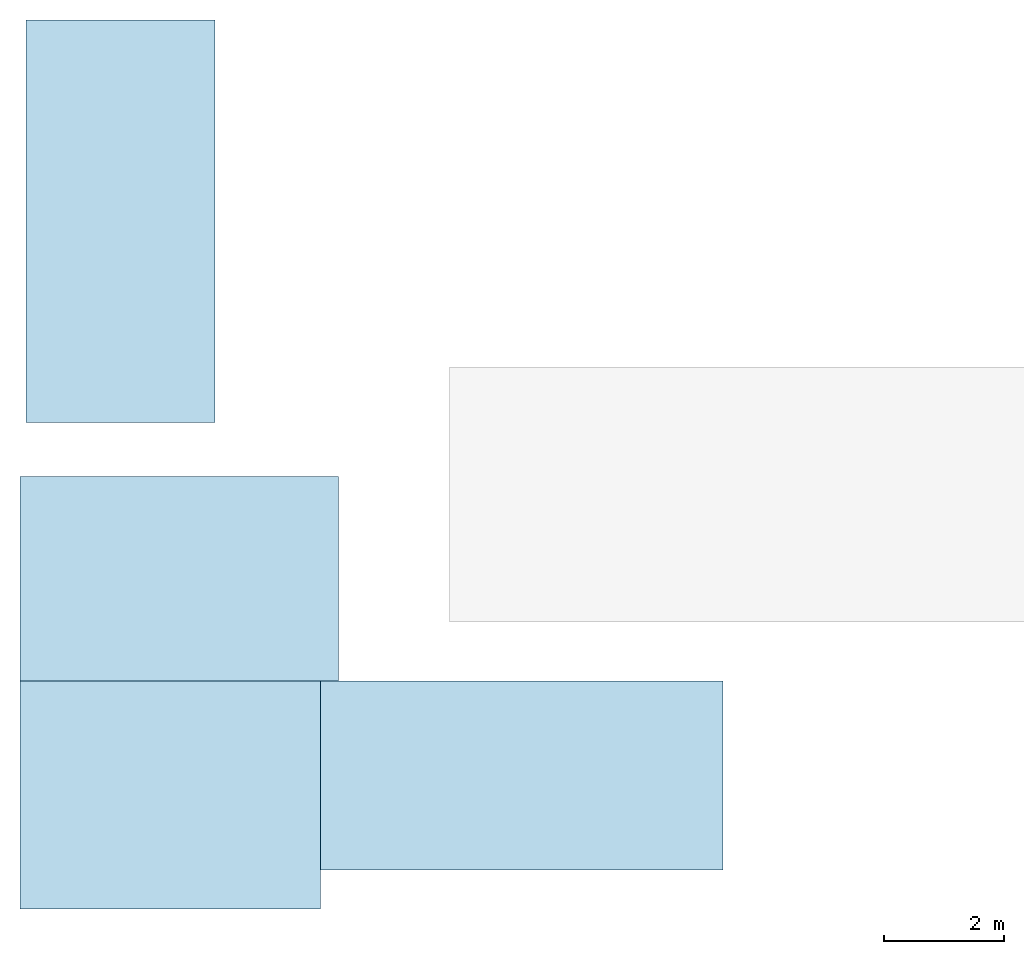
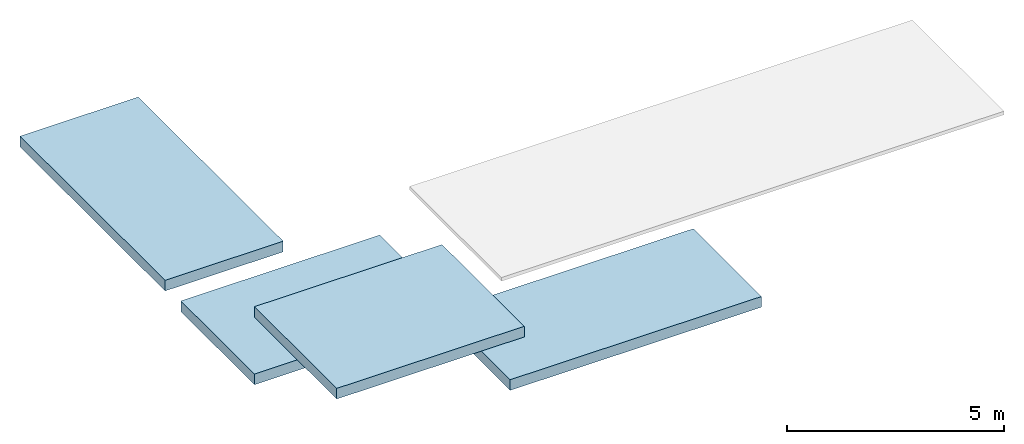
# One storey, part 1 of 2: 4 slabs.
"""IFC4 building model written with IfcOpenShell, lengths in metres."""

from ifc_helpers import new_model, si_unit, direction, frame, origin, place, context, subcontext, project, spatial, polyline, outline, extrude, material, layer, layer_set, type_object, element, save


model = new_model("IFC4")

# Units and contexts
model_context = context("Model", 3, precision=1e-05, world=origin(), true_north=direction((0.0, 1.0)))
body_context = subcontext(model_context, "Body", "Model", "MODEL_VIEW")
ifc_project = project(units=[si_unit("LENGTHUNIT", "METRE"), si_unit("AREAUNIT", "SQUARE_METRE"), si_unit("VOLUMEUNIT", "CUBIC_METRE"), si_unit("PLANEANGLEUNIT", "RADIAN"), si_unit("MASSUNIT", "GRAM", prefix="KILO")], contexts=[model_context])

# Site, building, storey
site_placement = place(None, origin())
site = spatial("IfcSite", under=ifc_project, at=site_placement, CompositionType="ELEMENT")
building_placement = place(site_placement, origin())
building = spatial("IfcBuilding", under=site, at=building_placement, Name="Plateau Cross Towers", CompositionType="ELEMENT")
storey_placement = place(building_placement, frame((0.0, 0.0, 315.10009765625)))
storey = spatial("IfcBuildingStorey", under=building, at=storey_placement, Name="Roof head house", CompositionType="ELEMENT", Elevation=315.10009765625)

# Slabs
ifc_material = material(Name="Concrete C40/50", Category="concrete")
ifc_layer = layer(ifc_material, 0.300048828125)
ifc_layer_set = layer_set([ifc_layer], Name="Concrete C40/50")
slab_type = type_object("IfcSlabType", Name="Head house roof slab", PredefinedType="ROOF", material=ifc_layer_set)
slab_1_placement = place(storey_placement, origin())
element("IfcSlab", 1, at=slab_1_placement, inside=storey, type_object=slab_type, Name="Stair head house roof ST-1", PredefinedType="ROOF", context=body_context, shape_type="SweptSolid", body=[
    extrude(outline(polyline([(5.14990234375, 10.199951171875), (5.14990234375, 16.89990234375), (2.0, 16.89990234375), (2.0, 10.199951171875), (5.14990234375, 10.199951171875)])), origin(), (0.0, 0.0, 1.0), 0.2998046875),
])
slab_2_placement = place(storey_placement, origin())
element("IfcSlab", 2, at=slab_2_placement, inside=storey, type_object=slab_type, Name="Stair head house roof ST-2", PredefinedType="ROOF", context=body_context, shape_type="SweptSolid", body=[
    extrude(outline(polyline([(6.89990234375, 2.75), (13.60009765625, 2.75), (13.60009765625, 5.89990234375), (6.89990234375, 5.89990234375), (6.89990234375, 2.75)])), origin(), (0.0, 0.0, 1.0), 0.2998046875),
])
slab_3_placement = place(storey_placement, frame((0.0, 0.0, 1.89990234375)))
element("IfcSlab", 3, at=slab_3_placement, inside=storey, type_object=slab_type, Name="Lift head house roof", PredefinedType="ROOF", context=body_context, shape_type="SweptSolid", body=[
    extrude(outline(polyline([(1.89990234375, 2.10009765625), (6.89990234375, 2.10009765625), (6.89990234375, 5.89990234375), (1.89990234375, 5.89990234375), (1.89990234375, 2.10009765625)])), origin(), (0.0, 0.0, 1.0), 0.300048828125),
])
slab_4_placement = place(storey_placement, origin())
element("IfcSlab", 4, at=slab_4_placement, inside=storey, type_object=slab_type, Name="Roof lift lobby roof", PredefinedType="ROOF", context=body_context, shape_type="SweptSolid", body=[
    extrude(outline(polyline([(1.89990234375, 5.89990234375), (7.199951171875, 5.89990234375), (7.199951171875, 9.300048828125), (1.89990234375, 9.300048828125), (1.89990234375, 5.89990234375)])), origin(), (0.0, 0.0, 1.0), 0.2998046875),
])

save(model, "model.ifc")
